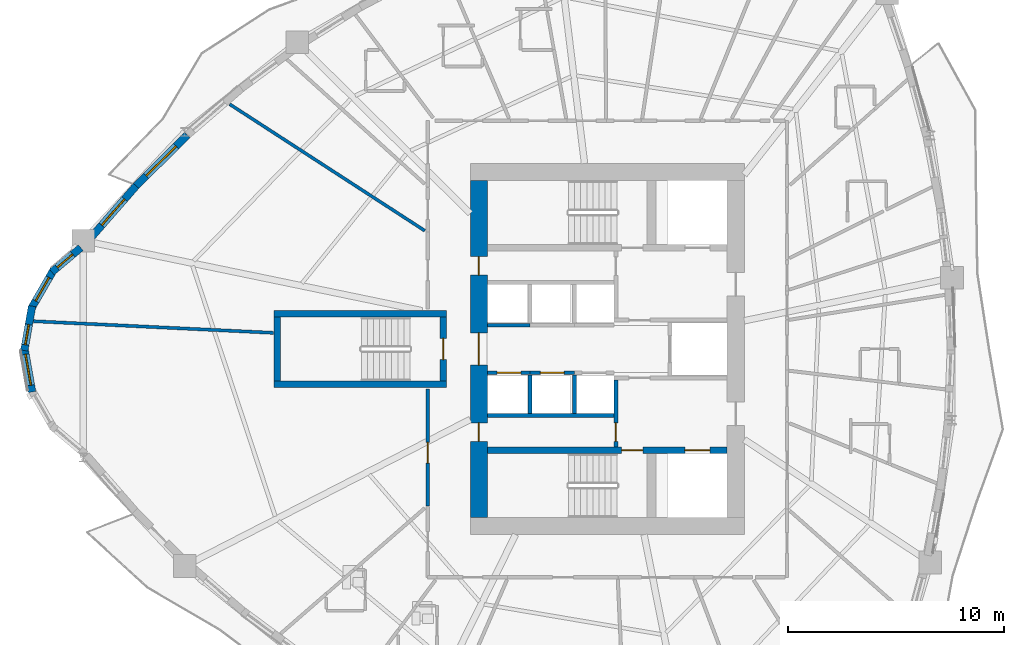
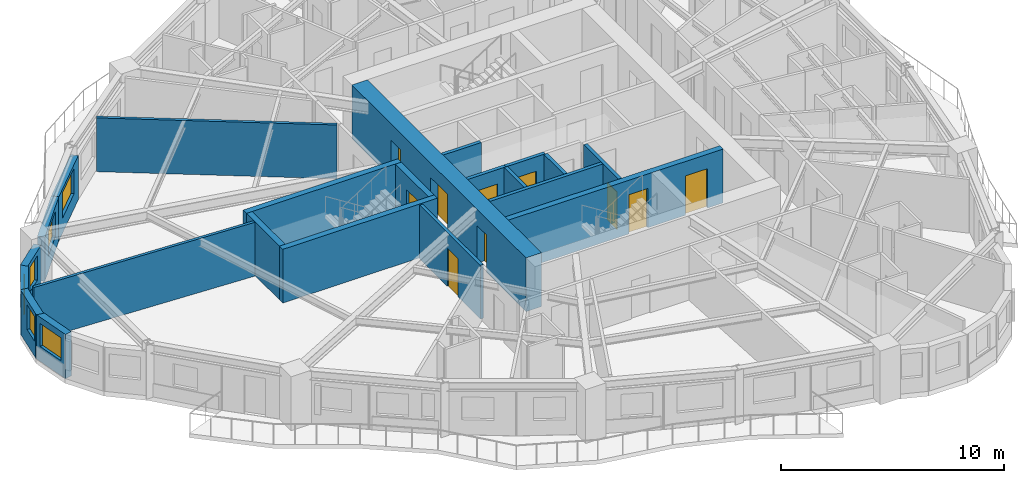
# One storey, part 4 of 14: 22 walls, 10 doors, 6 windows, 16 openings.
"""IFC4 building model written with IfcOpenShell, lengths in metres."""

import ifcopenshell
import ifcopenshell.guid

model = None  # the IFC model being written
_history = None  # IfcOwnerHistory: only IFC2X3 demands one
_inside = {}  # id of a spatial element -> (the spatial element, [elements in it])
_under = {}  # id of a project, library or spatial element -> (it, [spatial elements below it])
_declared = {}  # id of a project -> (the project, [libraries it declares])
_typed = {}  # id of a type object -> (the type object, [elements of that type])
_made_of = {}  # id of a material, layer set ... -> (it, [elements and type objects made of it])


def new_model(schema):
    """Start an empty IFC model of exactly this schema.

    Asked for "IFC4X3", IfcOpenShell would pick the latest addendum, in which some entities
    have other attributes; the version numbers below select the first issue.
    IFC2X3 requires an IfcOwnerHistory on every rooted entity: one is made here for all.
    """
    global model, _history
    if schema == "IFC4X3":
        model = ifcopenshell.file(schema_version=(4, 3, 0, 0))
    else:
        model = ifcopenshell.file(schema=schema)
    _inside.clear()
    _under.clear()
    _declared.clear()
    _typed.clear()
    _made_of.clear()
    _history = None
    if model.schema == "IFC2X3":
        org = make("IfcOrganization", Name="unknown")
        user = make(
            "IfcPersonAndOrganization",
            ThePerson=make("IfcPerson", FamilyName="unknown"),
            TheOrganization=org,
        )
        app = make(
            "IfcApplication",
            ApplicationDeveloper=org,
            Version="unknown",
            ApplicationFullName="unknown",
            ApplicationIdentifier="unknown",
        )
        _history = make(
            "IfcOwnerHistory",
            OwningUser=user,
            OwningApplication=app,
            ChangeAction="ADDED",
            CreationDate=0,
        )
    return model


def make(cls, **values):
    """One entity of the class cls with the attributes given. An attribute that is None is left unset."""
    return model.create_entity(
        cls, **{name: value for name, value in values.items() if value is not None}
    )


def rooted(cls, **values):
    """An entity with a GlobalId (a new one), such as an element, a storey or a relation."""
    return make(cls, GlobalId=ifcopenshell.guid.new(), OwnerHistory=_history, **values)


def si_unit(unit_type, name, prefix=None):
    """IfcSIUnit, for example si_unit("LENGTHUNIT", "METRE", prefix="MILLI")."""
    return make("IfcSIUnit", UnitType=unit_type, Prefix=prefix, Name=name)


def assignment(units):
    """IfcUnitAssignment: the units of a project."""
    return None if units is None else make("IfcUnitAssignment", Units=units)


def point(xyz):
    """IfcCartesianPoint."""
    return None if xyz is None else make("IfcCartesianPoint", Coordinates=xyz)


def direction(xyz):
    """IfcDirection."""
    return None if xyz is None else make("IfcDirection", DirectionRatios=xyz)


def frame(location, z_axis=None, x_axis=None):
    """IfcAxis2Placement3D, a coordinate frame: its origin and axes. An axis left out is left unset."""
    return make(
        "IfcAxis2Placement3D",
        Location=point(location),
        Axis=direction(z_axis),
        RefDirection=direction(x_axis),
    )


def frame_2d(location, x_axis=None):
    """IfcAxis2Placement2D, a coordinate frame in the plane: its origin and x axis."""
    return make(
        "IfcAxis2Placement2D", Location=point(location), RefDirection=direction(x_axis)
    )


def origin():
    """The frame at (0, 0, 0) with its axes left unset."""
    return frame((0.0, 0.0, 0.0))


def place(relative_to, where):
    """IfcLocalPlacement: puts the frame where relative to a parent placement (None: the world)."""
    return make(
        "IfcLocalPlacement", PlacementRelTo=relative_to, RelativePlacement=where
    )


def context(
    kind, dimensions, precision=None, world=None, true_north=None, identifier=None
):
    """IfcGeometricRepresentationContext, for example the 3D "Model" context."""
    return make(
        "IfcGeometricRepresentationContext",
        ContextIdentifier=identifier,
        ContextType=kind,
        CoordinateSpaceDimension=dimensions,
        Precision=precision,
        WorldCoordinateSystem=world,
        TrueNorth=true_north,
    )


def subcontext(parent, identifier, kind, view, scale=None):
    """IfcGeometricRepresentationSubContext, for example "Body" below "Model"."""
    return make(
        "IfcGeometricRepresentationSubContext",
        ContextIdentifier=identifier,
        ContextType=kind,
        ParentContext=parent,
        TargetScale=scale,
        TargetView=view,
    )


def project(units=None, contexts=None):
    """IfcProject with its units and contexts."""
    return rooted(
        "IfcProject",
        Name="project",
        RepresentationContexts=contexts,
        UnitsInContext=assignment(units),
    )


def spatial(cls, under=None, at=None, **own):
    """A site, building, storey or space (cls), placed at a placement, below another one or the project."""
    s = rooted(cls, ObjectPlacement=at, **own)
    if under is not None:
        _under.setdefault(under.id(), (under, []))[1].append(s)
    return s


def profile(cls, at=None, kind="AREA", **sizes):
    """A parametric profile (cls). Its sizes go by their IFC names, for example OverallWidth=200.0."""
    return make(cls, ProfileType=kind, Position=at, **sizes)


def rectangle(**sizes):
    """IfcRectangleProfileDef."""
    return profile("IfcRectangleProfileDef", **sizes)


def extrude(swept, where, along, depth):
    """IfcExtrudedAreaSolid: the profile swept, set in the frame where, extruded along a direction by depth."""
    return make(
        "IfcExtrudedAreaSolid",
        SweptArea=swept,
        Position=where,
        ExtrudedDirection=direction(along),
        Depth=depth,
    )


def shape(context_of_items, identifier, shape_type, items):
    """IfcShapeRepresentation: the items that make up one representation, for example the "Body"."""
    return make(
        "IfcShapeRepresentation",
        ContextOfItems=context_of_items,
        RepresentationIdentifier=identifier,
        RepresentationType=shape_type,
        Items=items,
    )


def source(mapping_origin, context_of_items, identifier, shape_type, items):
    """IfcRepresentationMap: a shape defined once, which mapped items show again and again."""
    return make(
        "IfcRepresentationMap",
        MappingOrigin=mapping_origin,
        MappedRepresentation=shape(context_of_items, identifier, shape_type, items),
    )


def transform(
    local_origin,
    x_axis=None,
    y_axis=None,
    z_axis=None,
    scale=None,
    scale2=None,
    scale3=None,
    uniform=True,
):
    """IfcCartesianTransformationOperator3D, or its non-uniform kind. x_axis, y_axis, z_axis: its Axis1, 2, 3."""
    if uniform:
        return make(
            "IfcCartesianTransformationOperator3D",
            Axis1=direction(x_axis),
            Axis2=direction(y_axis),
            LocalOrigin=point(local_origin),
            Scale=scale,
            Axis3=direction(z_axis),
        )
    return make(
        "IfcCartesianTransformationOperator3DnonUniform",
        Axis1=direction(x_axis),
        Axis2=direction(y_axis),
        LocalOrigin=point(local_origin),
        Scale=scale,
        Axis3=direction(z_axis),
        Scale2=scale2,
        Scale3=scale3,
    )


def mapped(mapping_source, mapping_target):
    """IfcMappedItem: shows the shape of a source again, moved by a transform."""
    return make(
        "IfcMappedItem", MappingSource=mapping_source, MappingTarget=mapping_target
    )


def material(Name=None, Category=None):
    """IfcMaterial."""
    return make("IfcMaterial", Name=Name, Category=Category)


def layer(
    of_material, thickness, ventilated=None, Name=None, Category=None, Priority=None
):
    """IfcMaterialLayer: one layer of a wall or slab, of a material (None: an air gap)."""
    return make(
        "IfcMaterialLayer",
        Material=of_material,
        LayerThickness=thickness,
        IsVentilated=ventilated,
        Name=Name,
        Category=Category,
        Priority=Priority,
    )


def layer_set(layers, Name=None):
    """IfcMaterialLayerSet."""
    return make("IfcMaterialLayerSet", MaterialLayers=layers, LayerSetName=Name)


def made_of(thing, what):
    """Note that an element or type object is made of a material, layer set ...; save() writes the relation."""
    if what is not None:
        _made_of.setdefault(what.id(), (what, []))[1].append(thing)
    return thing


def type_object(cls, material=None, **own):
    """A type object (cls), such as IfcWallType, which elements share."""
    return made_of(rooted(cls, **own), material)


def element(
    cls,
    number,
    at=None,
    inside=None,
    cuts=None,
    type_object=None,
    material=None,
    context=None,
    identifier="Body",
    shape_type=None,
    held_by="IfcProductDefinitionShape",
    body=None,
    shapes=None,
    **own,
):
    """One element of the class cls, such as IfcWall. Its Tag is "e" and its number.

    at: its placement. inside: the storey or other place that contains it. cuts: it is an
    opening in that element (IfcRelVoidsElement). A single representation is given by context,
    identifier, shape_type and body (its items); several are given by shapes. held_by: the class
    of the entity that holds the representations. save() writes the other relations.
    """
    e = rooted(cls, Tag="e%d" % number, ObjectPlacement=at, **own)
    if body is not None:
        shapes = [shape(context, identifier, shape_type, body)]
    if shapes is not None:
        e.Representation = make(held_by, Representations=shapes)
    if inside is not None:
        _inside.setdefault(inside.id(), (inside, []))[1].append(e)
    if cuts is not None:
        rooted(
            "IfcRelVoidsElement", RelatingBuildingElement=cuts, RelatedOpeningElement=e
        )
    if type_object is not None:
        _typed.setdefault(type_object.id(), (type_object, []))[1].append(e)
    return made_of(e, material)


def fill(opening, filler):
    """IfcRelFillsElement: the door or window that sits in an opening."""
    return rooted(
        "IfcRelFillsElement",
        RelatingOpeningElement=opening,
        RelatedBuildingElement=filler,
    )


def aggregate(whole, parts):
    """IfcRelAggregates: a whole, such as a stair, and the parts it consists of."""
    return rooted("IfcRelAggregates", RelatingObject=whole, RelatedObjects=parts)


def save(model, path):
    """Write the relations noted so far, then the file.

    IfcRelAggregates (storeys below a building ...), IfcRelContainedInSpatialStructure (elements
    in a storey), IfcRelDefinesByType, IfcRelAssociatesMaterial and IfcRelDeclares: one each for
    every whole, place, type object, material and project.
    """
    for whole, parts in _under.values():
        aggregate(whole, parts)
    for where, things in _inside.values():
        rooted(
            "IfcRelContainedInSpatialStructure",
            RelatedElements=things,
            RelatingStructure=where,
        )
    for kind, things in _typed.values():
        rooted("IfcRelDefinesByType", RelatedObjects=things, RelatingType=kind)
    for what, things in _made_of.values():
        rooted("IfcRelAssociatesMaterial", RelatedObjects=things, RelatingMaterial=what)
    for by, libraries in _declared.values():
        rooted("IfcRelDeclares", RelatingContext=by, RelatedDefinitions=libraries)
    model.write(path)


model = new_model("IFC4")

# Units and contexts
model_context = context("Model", 3, precision=1e-05, world=origin(), true_north=direction((0.0, 1.0)))
body_context = subcontext(model_context, "Body", "Model", "MODEL_VIEW")
ifc_project = project(units=[si_unit("LENGTHUNIT", "METRE"), si_unit("AREAUNIT", "SQUARE_METRE"), si_unit("VOLUMEUNIT", "CUBIC_METRE"), si_unit("PLANEANGLEUNIT", "RADIAN"), si_unit("MASSUNIT", "GRAM", prefix="KILO")], contexts=[model_context])

# Site, building, storey
site_placement = place(None, origin())
site = spatial("IfcSite", under=ifc_project, at=site_placement, CompositionType="ELEMENT")
building_placement = place(site_placement, origin())
building = spatial("IfcBuilding", under=site, at=building_placement, Name="Qafzar Sky-Pleat Residences", CompositionType="ELEMENT")
storey_placement = place(building_placement, frame((0.0, 0.0, 39.800048828125)))
storey = spatial("IfcBuildingStorey", under=building, at=storey_placement, Name="L11", CompositionType="ELEMENT", Elevation=39.800048828125)

# Wall, opening, door
ifc_material_1 = material(Name="Acoustic gypsum plasterboard partition", Category="gypsum")
ifc_layer_1 = layer(ifc_material_1, 0.159912109375)
ifc_layer_set_1 = layer_set([ifc_layer_1], Name="Acoustic gypsum plasterboard partition")
wall_type_1 = type_object("IfcWallType", Name="PART-COR-160", PredefinedType="PARTITIONING", material=ifc_layer_set_1)
wall_1_placement = place(storey_placement, frame((22.02001953125, 18.721923828125, 0.0), z_axis=(0.0, 0.0, 1.0), x_axis=(0.0, 1.0, 0.0)))
wall_1 = element("IfcWall", 1, at=wall_1_placement, inside=storey, type_object=wall_type_1, Name="L11 Partition Wall PART-L11-PW-001", PredefinedType="PARTITIONING", context=body_context, shape_type="SweptSolid", body=[
    extrude(rectangle(XDim=5.427978515625, YDim=0.159912109375, at=frame_2d((2.7138671875, 0.0))), origin(), (0.0, 0.0, 1.0), 2.93994140625),
])
opening_1_placement = place(wall_1_placement, frame((1.99609375, 0.0, 0.0)))
opening_1 = element("IfcOpeningElement", 2, at=opening_1_placement, cuts=wall_1, Name="Opening ID-06", PredefinedType="OPENING", context=body_context, shape_type="SweptSolid", body=[
    extrude(rectangle(XDim=0.9599609375, YDim=2.10009765625, at=frame_2d((0.47998046875, 1.050048828125))), frame((0.0, 0.08984375, 0.0), z_axis=(0.0, -1.0, 0.0), x_axis=(1.0, 0.0, 0.0)), (0.0, 0.0, 1.0), 0.179931640625),
])
ifc_material_2 = material(Name="Timber-faced fire door", Category="wood")
door_type_1 = type_object("IfcDoorType", Name="DR-STD-960", OperationType="NOTDEFINED", PredefinedType="DOOR", material=ifc_material_2)
shared_shape_1 = source(origin(), body_context, "Body", "SweptSolid", [
    extrude(rectangle(XDim=0.9599609375, YDim=2.10009765625, at=frame_2d((0.47998046875, 1.050048828125))), frame((0.0, 0.02490234375, 0.0), z_axis=(0.0, -1.0, 0.0), x_axis=(1.0, 0.0, 0.0)), (0.0, 0.0, 1.0), 0.050048828125),
])
door_1_placement = place(opening_1_placement, origin())
door_1 = element("IfcDoor", 3, at=door_1_placement, inside=storey, type_object=door_type_1, Name="L11 Scholar Co-Working Workspace Door", OperationType="SINGLE_SWING_LEFT", OverallHeight=2.10009765625, OverallWidth=0.9599609375, PredefinedType="DOOR", context=body_context, shape_type="MappedRepresentation", body=[
    mapped(shared_shape_1, transform((0.0, 0.0, 0.0), x_axis=(1.0, 0.0, 0.0), y_axis=(0.0, 1.0, 0.0), z_axis=(0.0, 0.0, 1.0), scale=1.0)),
])
fill(opening_1, door_1)

ifc_material_3 = material(Name="Concrete blockwork partition", Category="masonry")
ifc_layer_2 = layer(ifc_material_3, 0.179931640625)
ifc_layer_set_2 = layer_set([ifc_layer_2], Name="Concrete blockwork partition")
wall_type_2 = type_object("IfcWallType", Name="PART-SHAFT-180", PredefinedType="PARTITIONING", material=ifc_layer_set_2)
wall_2_placement = place(storey_placement, frame((30.75, 21.4599609375, 0.0), z_axis=(0.0, 0.0, 1.0), x_axis=(0.0, 1.0, 0.0)))
wall_2 = element("IfcWall", 4, at=wall_2_placement, inside=storey, type_object=wall_type_2, Name="L11 Partition Wall PART-L11-FFL1-W", PredefinedType="PARTITIONING", context=body_context, shape_type="SweptSolid", body=[
    extrude(rectangle(XDim=3.110107421875, YDim=0.179931640625, at=frame_2d((1.55517578125, 0.0))), origin(), (0.0, 0.0, 1.0), 2.93994140625),
])
opening_2_placement = place(wall_2_placement, frame((0.260009765625, 0.0, 0.0)))
opening_2 = element("IfcOpeningElement", 5, at=opening_2_placement, cuts=wall_2, Name="Opening ID-09", PredefinedType="OPENING", context=body_context, shape_type="SweptSolid", body=[
    extrude(rectangle(XDim=0.860107421875, YDim=2.050048828125, at=frame_2d((0.43017578125, 1.02490234375))), frame((0.0, 0.10009765625, 0.0), z_axis=(0.0, -1.0, 0.0), x_axis=(1.0, 0.0, 0.0)), (0.0, 0.0, 1.0), 0.199951171875),
])
door_type_2 = type_object("IfcDoorType", Name="DR-SVC-860", OperationType="NOTDEFINED", PredefinedType="DOOR", material=ifc_material_2)
shared_shape_2 = source(origin(), body_context, "Body", "SweptSolid", [
    extrude(rectangle(XDim=0.860107421875, YDim=2.050048828125, at=frame_2d((0.43017578125, 1.02490234375))), frame((0.0, 0.02490234375, 0.0), z_axis=(0.0, -1.0, 0.0), x_axis=(1.0, 0.0, 0.0)), (0.0, 0.0, 1.0), 0.050048828125),
])
door_2_placement = place(opening_2_placement, origin())
door_2 = element("IfcDoor", 6, at=door_2_placement, inside=storey, type_object=door_type_2, Name="L11 South Core Cupboard Door", OperationType="SINGLE_SWING_LEFT", OverallHeight=2.050048828125, OverallWidth=0.860107421875, PredefinedType="DOOR", context=body_context, shape_type="MappedRepresentation", body=[
    mapped(shared_shape_2, transform((0.0, 0.0, 0.0), x_axis=(1.0, 0.0, 0.0), y_axis=(0.0, 1.0, 0.0), z_axis=(0.0, 0.0, 1.0), scale=1.0)),
])
fill(opening_2, door_2)

# Wall
wall_3_placement = place(storey_placement, frame((24.81005859375, 22.919921875, 0.0), z_axis=(0.0, 0.0, 1.0), x_axis=(1.0, 0.0, 0.0)))
element("IfcWall", 7, at=wall_3_placement, inside=storey, type_object=wall_type_2, Name="L11 Partition Wall PART-L11-P13-S", PredefinedType="PARTITIONING", context=body_context, shape_type="SweptSolid", body=[
    extrude(rectangle(XDim=5.83984375, YDim=0.179931640625, at=frame_2d((2.919921875, 0.0))), origin(), (0.0, 0.0, 1.0), 2.93994140625),
])

# Wall, opening, door
wall_4_placement = place(storey_placement, frame((24.81005859375, 24.89990234375, 0.0), z_axis=(0.0, 0.0, 1.0), x_axis=(1.0, 0.0, 0.0)))
wall_4 = element("IfcWall", 8, at=wall_4_placement, inside=storey, type_object=wall_type_2, Name="L11 Partition Wall PART-L11-P1-N", PredefinedType="PARTITIONING", context=body_context, shape_type="SweptSolid", body=[
    extrude(rectangle(XDim=1.96484375, YDim=0.179931640625, at=frame_2d((0.982421875, 0.0))), origin(), (0.0, 0.0, 1.0), 2.93994140625),
])
opening_3_placement = place(wall_4_placement, frame((0.4326171875, 0.0, 0.0)))
opening_3 = element("IfcOpeningElement", 9, at=opening_3_placement, cuts=wall_4, Name="Opening LD-01", PredefinedType="OPENING", context=body_context, shape_type="SweptSolid", body=[
    extrude(rectangle(XDim=1.10009765625, YDim=2.14990234375, at=frame_2d((0.550048828125, 1.074951171875))), frame((0.0, 0.10009765625, 0.0), z_axis=(0.0, -1.0, 0.0), x_axis=(1.0, 0.0, 0.0)), (0.0, 0.0, 1.0), 0.199951171875),
])
ifc_material_4 = material(Name="Stainless steel sliding landing door", Category="steel")
door_type_3 = type_object("IfcDoorType", Name="DR-LIFT-P", OperationType="DOUBLE_DOOR_SLIDING", PredefinedType="DOOR", material=ifc_material_4)
shared_shape_3 = source(origin(), body_context, "Body", "SweptSolid", [
    extrude(rectangle(XDim=1.10009765625, YDim=2.14990234375, at=frame_2d((0.550048828125, 1.074951171875))), frame((0.0, 0.02490234375, 0.0), z_axis=(0.0, -1.0, 0.0), x_axis=(1.0, 0.0, 0.0)), (0.0, 0.0, 1.0), 0.050048828125),
])
door_3_placement = place(opening_3_placement, origin())
door_3 = element("IfcDoor", 10, at=door_3_placement, inside=storey, type_object=door_type_3, Name="L11 Passenger Lift P1 Landing Door", OperationType="DOUBLE_DOOR_SLIDING", OverallHeight=2.14990234375, OverallWidth=1.10009765625, PredefinedType="DOOR", context=body_context, shape_type="MappedRepresentation", body=[
    mapped(shared_shape_3, transform((0.0, 0.0, 0.0), x_axis=(1.0, 0.0, 0.0), y_axis=(0.0, 1.0, 0.0), z_axis=(0.0, 0.0, 1.0), scale=1.0)),
])
fill(opening_3, door_3)

wall_5_placement = place(storey_placement, frame((26.77490234375, 24.89990234375, 0.0), z_axis=(0.0, 0.0, 1.0), x_axis=(1.0, 0.0, 0.0)))
wall_5 = element("IfcWall", 11, at=wall_5_placement, inside=storey, type_object=wall_type_2, Name="L11 Partition Wall PART-L11-P2-N", PredefinedType="PARTITIONING", context=body_context, shape_type="SweptSolid", body=[
    extrude(rectangle(XDim=2.050048828125, YDim=0.179931640625, at=frame_2d((1.02490234375, 0.0))), origin(), (0.0, 0.0, 1.0), 2.93994140625),
])
opening_4_placement = place(wall_5_placement, frame((0.47509765625, 0.0, 0.0)))
opening_4 = element("IfcOpeningElement", 12, at=opening_4_placement, cuts=wall_5, Name="Opening LD-01", PredefinedType="OPENING", context=body_context, shape_type="SweptSolid", body=[
    extrude(rectangle(XDim=1.10009765625, YDim=2.14990234375, at=frame_2d((0.550048828125, 1.074951171875))), frame((0.0, 0.10009765625, 0.0), z_axis=(0.0, -1.0, 0.0), x_axis=(1.0, 0.0, 0.0)), (0.0, 0.0, 1.0), 0.199951171875),
])
door_4_placement = place(opening_4_placement, origin())
door_4 = element("IfcDoor", 13, at=door_4_placement, inside=storey, type_object=door_type_3, Name="L11 Passenger Lift P2 Landing Door", OperationType="DOUBLE_DOOR_SLIDING", OverallHeight=2.14990234375, OverallWidth=1.10009765625, PredefinedType="DOOR", context=body_context, shape_type="MappedRepresentation", body=[
    mapped(shared_shape_3, transform((0.0, 0.0, 0.0), x_axis=(1.0, 0.0, 0.0), y_axis=(0.0, 1.0, 0.0), z_axis=(0.0, 0.0, 1.0), scale=1.0)),
])
fill(opening_4, door_4)

# Walls
for number, where, z_axis, x_axis, name in (
    (14, (26.77490234375, 23.02001953125, 0.0), (0.0, 0.0, 1.0), (0.0, 1.0, 0.0), "L11 Partition Wall PART-L11-P13-DIV-1"),
    (15, (28.824951171875, 23.02001953125, 0.0), (0.0, 0.0, 1.0), (0.0, 1.0, 0.0), "L11 Partition Wall PART-L11-P13-DIV-2"),
):
    element("IfcWall", number, at=place(storey_placement, frame(where, z_axis=z_axis, x_axis=x_axis)), inside=storey, type_object=wall_type_2, Name=name, PredefinedType="PARTITIONING", context=body_context, shape_type="SweptSolid", body=[
        extrude(rectangle(XDim=1.780029296875, YDim=0.179931640625, at=frame_2d((0.89013671875, 0.0))), origin(), (0.0, 0.0, 1.0), 2.93994140625),
    ])
wall_6_placement = place(storey_placement, frame((24.81005859375, 27.10009765625, 0.0), z_axis=(0.0, 0.0, 1.0), x_axis=(1.0, 0.0, 0.0)))
element("IfcWall", 16, at=wall_6_placement, inside=storey, type_object=wall_type_2, Name="L11 Partition Wall PART-L11-P4-S", PredefinedType="PARTITIONING", context=body_context, shape_type="SweptSolid", body=[
    extrude(rectangle(XDim=1.96484375, YDim=0.179931640625, at=frame_2d((0.982421875, 0.0))), origin(), (0.0, 0.0, 1.0), 2.93994140625),
])
ifc_layer_3 = layer(ifc_material_1, 0.14501953125)
ifc_layer_set_3 = layer_set([ifc_layer_3], Name="Acoustic gypsum plasterboard partition")
wall_type_3 = type_object("IfcWallType", Name="PART-UNIT-145", PredefinedType="PARTITIONING", material=ifc_layer_set_3)
wall_7_placement = place(storey_placement, frame((3.764892578125, 27.288818359375, 0.0), z_axis=(0.0, 0.0, 1.0), x_axis=(0.998826748689, -0.048426502082, 0.0)))
element("IfcWall", 17, at=wall_7_placement, inside=storey, type_object=wall_type_3, Name="L11 Partition Wall PART-L11-PW-037", PredefinedType="PARTITIONING", context=body_context, shape_type="SweptSolid", body=[
    extrude(rectangle(XDim=11.13671875, YDim=0.14501953125, at=frame_2d((5.568359375, 0.0))), origin(), (0.0, 0.0, 1.0), 2.93994140625),
])
wall_8_placement = place(storey_placement, frame((12.849853515625, 37.3466796875, 0.0), z_axis=(0.0, 0.0, 1.0), x_axis=(0.839070272759, -0.544023048567, 0.0)))
element("IfcWall", 18, at=wall_8_placement, inside=storey, type_object=wall_type_3, Name="L11 Partition Wall PART-L11-PW-039", PredefinedType="PARTITIONING", context=body_context, shape_type="SweptSolid", body=[
    extrude(rectangle(XDim=10.778564453125, YDim=0.14501953125, at=frame_2d((5.38916015625, 0.0))), origin(), (0.0, 0.0, 1.0), 2.93994140625),
])

# Wall, opening, window
ifc_material_5 = material(Name="Precast concrete C40/50 with honed Riyadh limestone", Category="concrete")
ifc_layer_4 = layer(ifc_material_5, 0.35009765625)
ifc_layer_set_4 = layer_set([ifc_layer_4], Name="Precast concrete C40/50 with honed Riyadh limestone")
wall_type_4 = type_object("IfcWallType", Name="WALL-EXT-350", PredefinedType="SOLIDWALL", material=ifc_layer_set_4)
wall_9_placement = place(storey_placement, frame((5.94775390625, 30.696044921875, 0.0), z_axis=(0.0, 0.0, 1.0), x_axis=(-0.766058770736, -0.642770534311, 0.0)))
wall_9 = element("IfcWall", 19, at=wall_9_placement, inside=storey, type_object=wall_type_4, Name="L11 Limestone Facade Wall 1", PredefinedType="SOLIDWALL", context=body_context, shape_type="SweptSolid", body=[
    extrude(rectangle(XDim=1.75244140625, YDim=0.35009765625, at=frame_2d((0.876220703125, 0.0))), origin(), (0.0, 0.0, 1.0), 2.419921875),
])
opening_5_placement = place(wall_9_placement, frame((0.476318359375, 0.0, 0.820068359375)))
opening_5 = element("IfcOpeningElement", 20, at=opening_5_placement, cuts=wall_9, Name="Opening WN-12", PredefinedType="OPENING", context=body_context, shape_type="SweptSolid", body=[
    extrude(rectangle(XDim=0.949951171875, YDim=1.35009765625, at=frame_2d((0.47509765625, 0.675048828125))), frame((0.0, 0.18505859375, 0.0), z_axis=(0.0, -1.0, 0.0), x_axis=(1.0, 0.0, 0.0)), (0.0, 0.0, 1.0), 0.3701171875),
])
ifc_material_6 = material(Name="Solar-control low-E glass in bronze aluminium frame", Category="glass")
window_type_1 = type_object("IfcWindowType", Name="WIN-12", PartitioningType="SINGLE_PANEL", PredefinedType="WINDOW", material=ifc_material_6)
shared_shape_4 = source(origin(), body_context, "Body", "SweptSolid", [
    extrude(rectangle(XDim=0.949951171875, YDim=1.35009765625, at=frame_2d((0.47509765625, 0.675048828125))), frame((0.0, 0.030029296875, 0.0), z_axis=(0.0, -1.0, 0.0), x_axis=(1.0, 0.0, 0.0)), (0.0, 0.0, 1.0), 0.06005859375),
])
window_1_placement = place(opening_5_placement, origin())
window_1 = element("IfcWindow", 21, at=window_1_placement, inside=storey, type_object=window_type_1, Name="L11 Punched Facade Window 01", OverallHeight=1.35009765625, OverallWidth=0.949951171875, PartitioningType="SINGLE_PANEL", PredefinedType="WINDOW", context=body_context, shape_type="MappedRepresentation", body=[
    mapped(shared_shape_4, transform((0.0, 0.0, 0.0), x_axis=(1.0, 0.0, 0.0), y_axis=(0.0, 1.0, 0.0), z_axis=(0.0, 0.0, 1.0), scale=1.0)),
])
fill(opening_5, window_1)

wall_10_placement = place(storey_placement, frame((4.6923828125, 29.673583984375, 0.0), z_axis=(0.0, 0.0, 1.0), x_axis=(-0.49990781971, -0.866078617559, 0.0)))
wall_10 = element("IfcWall", 22, at=wall_10_placement, inside=storey, type_object=wall_type_4, Name="L11 Limestone Facade Wall 2", PredefinedType="SOLIDWALL", context=body_context, shape_type="SweptSolid", body=[
    extrude(rectangle(XDim=2.09033203125, YDim=0.35009765625, at=frame_2d((1.045166015625, 0.0))), origin(), (0.0, 0.0, 1.0), 2.419921875),
])
opening_6_placement = place(wall_10_placement, frame((0.420166015625, 0.0, 0.820068359375)))
opening_6 = element("IfcOpeningElement", 23, at=opening_6_placement, cuts=wall_10, Name="Opening WN-11", PredefinedType="OPENING", context=body_context, shape_type="SweptSolid", body=[
    extrude(rectangle(XDim=1.25, YDim=1.35009765625, at=frame_2d((0.625, 0.675048828125))), frame((0.0, 0.18505859375, 0.0), z_axis=(0.0, -1.0, 0.0), x_axis=(1.0, 0.0, 0.0)), (0.0, 0.0, 1.0), 0.3701171875),
])
window_type_2 = type_object("IfcWindowType", Name="WIN-11", PartitioningType="SINGLE_PANEL", PredefinedType="WINDOW", material=ifc_material_6)
shared_shape_5 = source(origin(), body_context, "Body", "SweptSolid", [
    extrude(rectangle(XDim=1.25, YDim=1.35009765625, at=frame_2d((0.625, 0.675048828125))), frame((0.0, 0.030029296875, 0.0), z_axis=(0.0, -1.0, 0.0), x_axis=(1.0, 0.0, 0.0)), (0.0, 0.0, 1.0), 0.06005859375),
])
window_2_placement = place(opening_6_placement, origin())
window_2 = element("IfcWindow", 24, at=window_2_placement, inside=storey, type_object=window_type_2, Name="L11 Punched Facade Window 02", OverallHeight=1.35009765625, OverallWidth=1.25, PartitioningType="SINGLE_PANEL", PredefinedType="WINDOW", context=body_context, shape_type="MappedRepresentation", body=[
    mapped(shared_shape_5, transform((0.0, 0.0, 0.0), x_axis=(1.0, 0.0, 0.0), y_axis=(0.0, 1.0, 0.0), z_axis=(0.0, 0.0, 1.0), scale=1.0)),
])
fill(opening_6, window_2)

wall_11_placement = place(storey_placement, frame((3.693603515625, 27.99072265625, 0.0), z_axis=(0.0, 0.0, 1.0), x_axis=(-0.173558792186, -0.984823509902, 0.0)))
wall_11 = element("IfcWall", 25, at=wall_11_placement, inside=storey, type_object=wall_type_4, Name="L11 Limestone Facade Wall 3", PredefinedType="SOLIDWALL", context=body_context, shape_type="SweptSolid", body=[
    extrude(rectangle(XDim=2.09033203125, YDim=0.35009765625, at=frame_2d((1.045166015625, 0.0))), origin(), (0.0, 0.0, 1.0), 2.419921875),
])
opening_7_placement = place(wall_11_placement, frame((0.871337890625, 0.0, 0.820068359375)))
opening_7 = element("IfcOpeningElement", 26, at=opening_7_placement, cuts=wall_11, Name="Opening WN-12", PredefinedType="OPENING", context=body_context, shape_type="SweptSolid", body=[
    extrude(rectangle(XDim=0.949951171875, YDim=1.35009765625, at=frame_2d((0.47509765625, 0.675048828125))), frame((0.0, 0.18505859375, 0.0), z_axis=(0.0, -1.0, 0.0), x_axis=(1.0, 0.0, 0.0)), (0.0, 0.0, 1.0), 0.3701171875),
])
window_3_placement = place(opening_7_placement, origin())
window_3 = element("IfcWindow", 27, at=window_3_placement, inside=storey, type_object=window_type_1, Name="L11 Punched Facade Window 03-2", OverallHeight=1.35009765625, OverallWidth=0.949951171875, PartitioningType="SINGLE_PANEL", PredefinedType="WINDOW", context=body_context, shape_type="MappedRepresentation", body=[
    mapped(shared_shape_4, transform((0.0, 0.0, 0.0), x_axis=(1.0, 0.0, 0.0), y_axis=(0.0, 1.0, 0.0), z_axis=(0.0, 0.0, 1.0), scale=1.0)),
])
fill(opening_7, window_3)

wall_12_placement = place(storey_placement, frame((3.330810546875, 26.06787109375, 0.0), z_axis=(0.0, 0.0, 1.0), x_axis=(0.173558792186, -0.984823509902, 0.0)))
wall_12 = element("IfcWall", 28, at=wall_12_placement, inside=storey, type_object=wall_type_4, Name="L11 Limestone Facade Wall 4", PredefinedType="SOLIDWALL", context=body_context, shape_type="SweptSolid", body=[
    extrude(rectangle(XDim=2.09033203125, YDim=0.35009765625, at=frame_2d((1.045166015625, 0.0))), origin(), (0.0, 0.0, 1.0), 2.419921875),
])
opening_8_placement = place(wall_12_placement, frame((0.3203125, 0.0, 0.820068359375)))
opening_8 = element("IfcOpeningElement", 29, at=opening_8_placement, cuts=wall_12, Name="Opening WN-15", PredefinedType="OPENING", context=body_context, shape_type="SweptSolid", body=[
    extrude(rectangle(XDim=1.449951171875, YDim=1.25, at=frame_2d((0.72509765625, 0.625))), frame((0.0, 0.18505859375, 0.0), z_axis=(0.0, -1.0, 0.0), x_axis=(1.0, 0.0, 0.0)), (0.0, 0.0, 1.0), 0.3701171875),
])
window_type_3 = type_object("IfcWindowType", Name="WIN-15", PartitioningType="SINGLE_PANEL", PredefinedType="WINDOW", material=ifc_material_6)
shared_shape_6 = source(origin(), body_context, "Body", "SweptSolid", [
    extrude(rectangle(XDim=1.449951171875, YDim=1.25, at=frame_2d((0.72509765625, 0.625))), frame((0.0, 0.030029296875, 0.0), z_axis=(0.0, -1.0, 0.0), x_axis=(1.0, 0.0, 0.0)), (0.0, 0.0, 1.0), 0.06005859375),
])
window_4_placement = place(opening_8_placement, origin())
window_4 = element("IfcWindow", 30, at=window_4_placement, inside=storey, type_object=window_type_3, Name="L11 Punched Facade Window 04", OverallHeight=1.25, OverallWidth=1.449951171875, PartitioningType="SINGLE_PANEL", PredefinedType="WINDOW", context=body_context, shape_type="MappedRepresentation", body=[
    mapped(shared_shape_6, transform((0.0, 0.0, 0.0), x_axis=(1.0, 0.0, 0.0), y_axis=(0.0, 1.0, 0.0), z_axis=(0.0, 0.0, 1.0), scale=1.0)),
])
fill(opening_8, window_4)

wall_13_placement = place(storey_placement, frame((10.882568359375, 35.917724609375, 0.0), z_axis=(0.0, 0.0, 1.0), x_axis=(-0.708386995502, -0.70582424484, 0.0)))
wall_13 = element("IfcWall", 31, at=wall_13_placement, inside=storey, type_object=wall_type_4, Name="L11 Limestone Facade Wall 47", PredefinedType="SOLIDWALL", context=body_context, shape_type="SweptSolid", body=[
    extrude(rectangle(XDim=3.429443359375, YDim=0.35009765625, at=frame_2d((1.71484375, 0.0))), origin(), (0.0, 0.0, 1.0), 2.419921875),
])
opening_9_placement = place(wall_13_placement, frame((0.729736328125, 0.0, 0.820068359375)))
opening_9 = element("IfcOpeningElement", 32, at=opening_9_placement, cuts=wall_13, Name="Opening WN-08", PredefinedType="OPENING", context=body_context, shape_type="SweptSolid", body=[
    extrude(rectangle(XDim=1.949951171875, YDim=1.39990234375, at=frame_2d((0.97509765625, 0.699951171875))), frame((0.0, 0.18505859375, 0.0), z_axis=(0.0, -1.0, 0.0), x_axis=(1.0, 0.0, 0.0)), (0.0, 0.0, 1.0), 0.3701171875),
])
window_type_4 = type_object("IfcWindowType", Name="WIN-08", PartitioningType="DOUBLE_PANEL_VERTICAL", PredefinedType="WINDOW", material=ifc_material_6)
shared_shape_7 = source(origin(), body_context, "Body", "SweptSolid", [
    extrude(rectangle(XDim=1.949951171875, YDim=1.39990234375, at=frame_2d((0.97509765625, 0.699951171875))), frame((0.0, 0.030029296875, 0.0), z_axis=(0.0, -1.0, 0.0), x_axis=(1.0, 0.0, 0.0)), (0.0, 0.0, 1.0), 0.06005859375),
])
window_5_placement = place(opening_9_placement, origin())
window_5 = element("IfcWindow", 33, at=window_5_placement, inside=storey, type_object=window_type_4, Name="L11 Punched Facade Window 47", OverallHeight=1.39990234375, OverallWidth=1.949951171875, PartitioningType="SINGLE_PANEL", PredefinedType="WINDOW", context=body_context, shape_type="MappedRepresentation", body=[
    mapped(shared_shape_7, transform((0.0, 0.0, 0.0), x_axis=(1.0, 0.0, 0.0), y_axis=(0.0, 1.0, 0.0), z_axis=(0.0, 0.0, 1.0), scale=1.0)),
])
fill(opening_9, window_5)

wall_14_placement = place(storey_placement, frame((8.51318359375, 33.561279296875, 0.0), z_axis=(0.0, 0.0, 1.0), x_axis=(-0.657640586907, -0.753331838205, 0.0)))
wall_14 = element("IfcWall", 34, at=wall_14_placement, inside=storey, type_object=wall_type_4, Name="L11 Limestone Facade Wall 48", PredefinedType="SOLIDWALL", context=body_context, shape_type="SweptSolid", body=[
    extrude(rectangle(XDim=3.222412109375, YDim=0.35009765625, at=frame_2d((1.611328125, 0.0))), origin(), (0.0, 0.0, 1.0), 2.419921875),
])
opening_10_placement = place(wall_14_placement, frame((0.816162109375, 0.0, 0.820068359375)))
opening_10 = element("IfcOpeningElement", 35, at=opening_10_placement, cuts=wall_14, Name="Opening WN-09", PredefinedType="OPENING", context=body_context, shape_type="SweptSolid", body=[
    extrude(rectangle(XDim=1.60009765625, YDim=1.35009765625, at=frame_2d((0.800048828125, 0.675048828125))), frame((0.0, 0.18505859375, 0.0), z_axis=(0.0, -1.0, 0.0), x_axis=(1.0, 0.0, 0.0)), (0.0, 0.0, 1.0), 0.3701171875),
])
window_type_5 = type_object("IfcWindowType", Name="WIN-09", PartitioningType="DOUBLE_PANEL_VERTICAL", PredefinedType="WINDOW", material=ifc_material_6)
shared_shape_8 = source(origin(), body_context, "Body", "SweptSolid", [
    extrude(rectangle(XDim=1.60009765625, YDim=1.35009765625, at=frame_2d((0.800048828125, 0.675048828125))), frame((0.0, 0.030029296875, 0.0), z_axis=(0.0, -1.0, 0.0), x_axis=(1.0, 0.0, 0.0)), (0.0, 0.0, 1.0), 0.06005859375),
])
window_6_placement = place(opening_10_placement, origin())
window_6 = element("IfcWindow", 36, at=window_6_placement, inside=storey, type_object=window_type_5, Name="L11 Punched Facade Window 48", OverallHeight=1.35009765625, OverallWidth=1.60009765625, PartitioningType="SINGLE_PANEL", PredefinedType="WINDOW", context=body_context, shape_type="MappedRepresentation", body=[
    mapped(shared_shape_8, transform((0.0, 0.0, 0.0), x_axis=(1.0, 0.0, 0.0), y_axis=(0.0, 1.0, 0.0), z_axis=(0.0, 0.0, 1.0), scale=1.0)),
])
fill(opening_10, window_6)

# Wall, openings, doors
ifc_material_7 = material(Name="Concrete C60/75", Category="concrete")
ifc_layer_5 = layer(ifc_material_7, 0.300048828125)
ifc_layer_set_5 = layer_set([ifc_layer_5], Name="Concrete C60/75")
wall_type_5 = type_object("IfcWallType", Name="WALL-SHEAR-300", PredefinedType="SHEAR", material=ifc_layer_set_5)
wall_15_placement = place(storey_placement, frame((24.800048828125, 21.300048828125, 0.0), z_axis=(0.0, 0.0, 1.0), x_axis=(1.0, 0.0, 0.0)))
wall_15 = element("IfcWall", 37, at=wall_15_placement, inside=storey, type_object=wall_type_5, Name="L11 Stair ST1 and FF1 Shaft North Wall", PredefinedType="SHEAR", context=body_context, shape_type="SweptSolid", body=[
    extrude(rectangle(XDim=11.099853515625, YDim=0.300048828125, at=frame_2d((5.5498046875, 0.0))), origin(), (0.0, 0.0, 1.0), 2.93994140625),
])
opening_11_placement = place(wall_15_placement, frame((6.219970703125, 0.0, 0.0)))
opening_11 = element("IfcOpeningElement", 38, at=opening_11_placement, cuts=wall_15, Name="Opening ID-01", PredefinedType="OPENING", context=body_context, shape_type="SweptSolid", body=[
    extrude(rectangle(XDim=0.97998046875, YDim=2.14990234375, at=frame_2d((0.489990234375, 1.074951171875))), frame((0.0, 0.16015625, 0.0), z_axis=(0.0, -1.0, 0.0), x_axis=(1.0, 0.0, 0.0)), (0.0, 0.0, 1.0), 0.320068359375),
])
opening_12_placement = place(wall_15_placement, frame((9.14990234375, 0.0, 0.0)))
opening_12 = element("IfcOpeningElement", 39, at=opening_12_placement, cuts=wall_15, Name="Opening LD-02", PredefinedType="OPENING", context=body_context, shape_type="SweptSolid", body=[
    extrude(rectangle(XDim=1.14990234375, YDim=2.14990234375, at=frame_2d((0.574951171875, 1.074951171875))), frame((0.0, 0.16015625, 0.0), z_axis=(0.0, -1.0, 0.0), x_axis=(1.0, 0.0, 0.0)), (0.0, 0.0, 1.0), 0.320068359375),
])
door_type_4 = type_object("IfcDoorType", Name="DR-STAIR-980", OperationType="NOTDEFINED", PredefinedType="DOOR", material=ifc_material_2)
shared_shape_9 = source(origin(), body_context, "Body", "SweptSolid", [
    extrude(rectangle(XDim=0.97998046875, YDim=2.14990234375, at=frame_2d((0.489990234375, 1.074951171875))), frame((0.0, 0.02490234375, 0.0), z_axis=(0.0, -1.0, 0.0), x_axis=(1.0, 0.0, 0.0)), (0.0, 0.0, 1.0), 0.050048828125),
])
door_5_placement = place(opening_11_placement, origin())
door_5 = element("IfcDoor", 40, at=door_5_placement, inside=storey, type_object=door_type_4, Name="L11 Stair ST1 Fire Door", OperationType="SINGLE_SWING_RIGHT", OverallHeight=2.14990234375, OverallWidth=0.97998046875, PredefinedType="DOOR", context=body_context, shape_type="MappedRepresentation", body=[
    mapped(shared_shape_9, transform((0.0, 0.0, 0.0), x_axis=(1.0, 0.0, 0.0), y_axis=(0.0, 1.0, 0.0), z_axis=(0.0, 0.0, 1.0), scale=1.0)),
])
fill(opening_11, door_5)
door_type_5 = type_object("IfcDoorType", Name="DR-LIFT-FF", OperationType="DOUBLE_DOOR_SLIDING", PredefinedType="DOOR", material=ifc_material_4)
shared_shape_10 = source(origin(), body_context, "Body", "SweptSolid", [
    extrude(rectangle(XDim=1.14990234375, YDim=2.14990234375, at=frame_2d((0.574951171875, 1.074951171875))), frame((0.0, 0.02490234375, 0.0), z_axis=(0.0, -1.0, 0.0), x_axis=(1.0, 0.0, 0.0)), (0.0, 0.0, 1.0), 0.050048828125),
])
door_6_placement = place(opening_12_placement, origin())
door_6 = element("IfcDoor", 41, at=door_6_placement, inside=storey, type_object=door_type_5, Name="L11 Firefighting Lift FF1 Landing Door", OperationType="DOUBLE_DOOR_SLIDING", OverallHeight=2.14990234375, OverallWidth=1.14990234375, PredefinedType="DOOR", context=body_context, shape_type="MappedRepresentation", body=[
    mapped(shared_shape_10, transform((0.0, 0.0, 0.0), x_axis=(1.0, 0.0, 0.0), y_axis=(0.0, 1.0, 0.0), z_axis=(0.0, 0.0, 1.0), scale=1.0)),
])
fill(opening_12, door_6)

# Walls
for number, where, z_axis, x_axis, name in (
    (42, (14.89990234375, 24.375, 0.0), (0.0, 0.0, 1.0), (1.0, 0.0, 0.0), "L11 ST3 wall S"),
    (43, (22.89990234375, 27.625, 0.0), (0.0, 0.0, 1.0), (-1.0, 0.0, 0.0), "L11 ST3 wall N"),
):
    element("IfcWall", number, at=place(storey_placement, frame(where, z_axis=z_axis, x_axis=x_axis)), inside=storey, type_object=wall_type_5, Name=name, PredefinedType="SHEAR", context=body_context, shape_type="SweptSolid", body=[
        extrude(rectangle(XDim=8.0, YDim=0.300048828125, at=frame_2d((4.0, 0.0))), origin(), (0.0, 0.0, 1.0), 2.93994140625),
    ])
wall_16_placement = place(storey_placement, frame((15.050048828125, 27.47509765625, 0.0), z_axis=(0.0, 0.0, 1.0), x_axis=(0.0, -1.0, 0.0)))
element("IfcWall", 44, at=wall_16_placement, inside=storey, type_object=wall_type_5, Name="L11 ST3 wall W", PredefinedType="SHEAR", context=body_context, shape_type="SweptSolid", body=[
    extrude(rectangle(XDim=2.9501953125, YDim=0.300048828125, at=frame_2d((1.47509765625, 0.0))), origin(), (0.0, 0.0, 1.0), 2.93994140625),
])

# Wall, opening, door
wall_17_placement = place(storey_placement, frame((22.75, 24.52490234375, 0.0), z_axis=(0.0, 0.0, 1.0), x_axis=(0.0, 1.0, 0.0)))
wall_17 = element("IfcWall", 45, at=wall_17_placement, inside=storey, type_object=wall_type_5, Name="L11 ST3 wall E", PredefinedType="SHEAR", context=body_context, shape_type="SweptSolid", body=[
    extrude(rectangle(XDim=2.9501953125, YDim=0.300048828125, at=frame_2d((1.47509765625, 0.0))), origin(), (0.0, 0.0, 1.0), 2.93994140625),
])
opening_13_placement = place(wall_17_placement, frame((0.985107421875, 0.0, 0.0)))
opening_13 = element("IfcOpeningElement", 46, at=opening_13_placement, cuts=wall_17, Name="Opening ID-01", PredefinedType="OPENING", context=body_context, shape_type="SweptSolid", body=[
    extrude(rectangle(XDim=0.97998046875, YDim=2.14990234375, at=frame_2d((0.489990234375, 1.074951171875))), frame((0.0, 0.16015625, 0.0), z_axis=(0.0, -1.0, 0.0), x_axis=(1.0, 0.0, 0.0)), (0.0, 0.0, 1.0), 0.320068359375),
])
door_7_placement = place(opening_13_placement, origin())
door_7 = element("IfcDoor", 47, at=door_7_placement, inside=storey, type_object=door_type_4, Name="L11 Stair ST3 Fire Door", OperationType="SINGLE_SWING_RIGHT", OverallHeight=2.14990234375, OverallWidth=0.97998046875, PredefinedType="DOOR", context=body_context, shape_type="MappedRepresentation", body=[
    mapped(shared_shape_9, transform((0.0, 0.0, 0.0), x_axis=(1.0, 0.0, 0.0), y_axis=(0.0, 1.0, 0.0), z_axis=(0.0, 0.0, 1.0), scale=1.0)),
])
fill(opening_13, door_7)

# Wall, openings, doors
ifc_layer_6 = layer(ifc_material_7, 0.800048828125)
ifc_layer_set_6 = layer_set([ifc_layer_6], Name="Concrete C60/75")
wall_type_6 = type_object("IfcWallType", Name="WALL-SHEAR-800", PredefinedType="SHEAR", material=ifc_layer_set_6)
wall_18_placement = place(storey_placement, frame((24.39990234375, 33.800048828125, 0.0), z_axis=(0.0, 0.0, 1.0), x_axis=(0.0, -1.0, 0.0)))
wall_18 = element("IfcWall", 48, at=wall_18_placement, inside=storey, type_object=wall_type_6, Name="L11 CORE wall W", PredefinedType="SHEAR", context=body_context, shape_type="SweptSolid", body=[
    extrude(rectangle(XDim=15.60009765625, YDim=0.800048828125, at=frame_2d((7.800048828125, 0.0))), origin(), (0.0, 0.0, 1.0), 2.93994140625),
])
opening_14_placement = place(wall_18_placement, frame((7.050048828125, 0.0, 0.0)))
opening_14 = element("IfcOpeningElement", 49, at=opening_14_placement, cuts=wall_18, Name="Opening ID-03", PredefinedType="OPENING", context=body_context, shape_type="SweptSolid", body=[
    extrude(rectangle(XDim=1.5, YDim=2.14990234375, at=frame_2d((0.75, 1.074951171875))), frame((0.0, 0.41015625, 0.0), z_axis=(0.0, -1.0, 0.0), x_axis=(1.0, 0.0, 0.0)), (0.0, 0.0, 1.0), 0.820068359375),
])
opening_15_placement = place(wall_18_placement, frame((3.52001953125, 0.0, 0.0)))
opening_15 = element("IfcOpeningElement", 50, at=opening_15_placement, cuts=wall_18, Name="Opening ID-09", PredefinedType="OPENING", context=body_context, shape_type="SweptSolid", body=[
    extrude(rectangle(XDim=0.860107421875, YDim=2.050048828125, at=frame_2d((0.43017578125, 1.02490234375))), frame((0.0, 0.41015625, 0.0), z_axis=(0.0, -1.0, 0.0), x_axis=(1.0, 0.0, 0.0)), (0.0, 0.0, 1.0), 0.820068359375),
])
opening_16_placement = place(wall_18_placement, frame((11.219970703125, 0.0, 0.0)))
opening_16 = element("IfcOpeningElement", 51, at=opening_16_placement, cuts=wall_18, Name="Opening ID-09", PredefinedType="OPENING", context=body_context, shape_type="SweptSolid", body=[
    extrude(rectangle(XDim=0.860107421875, YDim=2.050048828125, at=frame_2d((0.43017578125, 1.02490234375))), frame((0.0, 0.41015625, 0.0), z_axis=(0.0, -1.0, 0.0), x_axis=(1.0, 0.0, 0.0)), (0.0, 0.0, 1.0), 0.820068359375),
])
door_type_6 = type_object("IfcDoorType", Name="DR-COR-1500", OperationType="DOUBLE_DOOR_SINGLE_SWING", PredefinedType="DOOR", material=ifc_material_2)
shared_shape_11 = source(origin(), body_context, "Body", "SweptSolid", [
    extrude(rectangle(XDim=1.5, YDim=2.14990234375, at=frame_2d((0.75, 1.074951171875))), frame((0.0, 0.02490234375, 0.0), z_axis=(0.0, -1.0, 0.0), x_axis=(1.0, 0.0, 0.0)), (0.0, 0.0, 1.0), 0.050048828125),
])
door_8_placement = place(opening_14_placement, origin())
door_8 = element("IfcDoor", 52, at=door_8_placement, inside=storey, type_object=door_type_6, Name="L11 Lift Lobby West Double Door", OperationType="DOUBLE_DOOR_SINGLE_SWING", OverallHeight=2.14990234375, OverallWidth=1.5, PredefinedType="DOOR", context=body_context, shape_type="MappedRepresentation", body=[
    mapped(shared_shape_11, transform((0.0, 0.0, 0.0), x_axis=(1.0, 0.0, 0.0), y_axis=(0.0, 1.0, 0.0), z_axis=(0.0, 0.0, 1.0), scale=1.0)),
])
fill(opening_14, door_8)
door_9_placement = place(opening_15_placement, origin())
door_9 = element("IfcDoor", 53, at=door_9_placement, inside=storey, type_object=door_type_2, Name="L11 Core North-West Service Door", OperationType="SINGLE_SWING_LEFT", OverallHeight=2.050048828125, OverallWidth=0.860107421875, PredefinedType="DOOR", context=body_context, shape_type="MappedRepresentation", body=[
    mapped(shared_shape_2, transform((0.0, 0.0, 0.0), x_axis=(1.0, 0.0, 0.0), y_axis=(0.0, 1.0, 0.0), z_axis=(0.0, 0.0, 1.0), scale=1.0)),
])
fill(opening_15, door_9)
door_10_placement = place(opening_16_placement, origin())
door_10 = element("IfcDoor", 54, at=door_10_placement, inside=storey, type_object=door_type_2, Name="L11 Core South-West Service Door", OperationType="SINGLE_SWING_RIGHT", OverallHeight=2.050048828125, OverallWidth=0.860107421875, PredefinedType="DOOR", context=body_context, shape_type="MappedRepresentation", body=[
    mapped(shared_shape_2, transform((0.0, 0.0, 0.0), x_axis=(1.0, 0.0, 0.0), y_axis=(0.0, 1.0, 0.0), z_axis=(0.0, 0.0, 1.0), scale=1.0)),
])
fill(opening_16, door_10)

save(model, "model.ifc")
